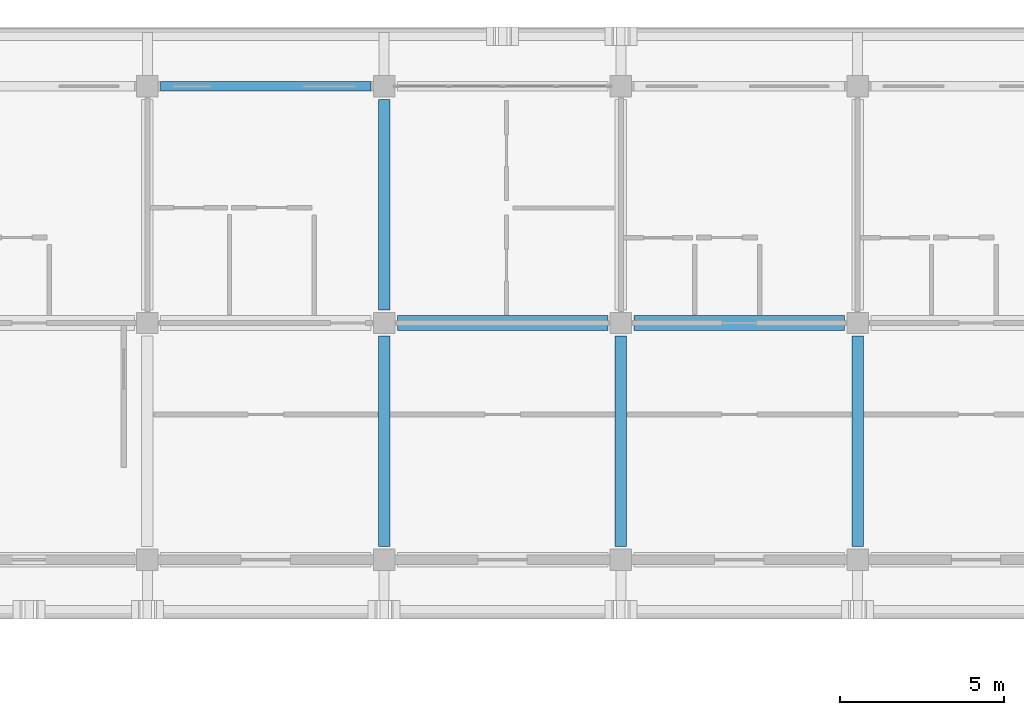
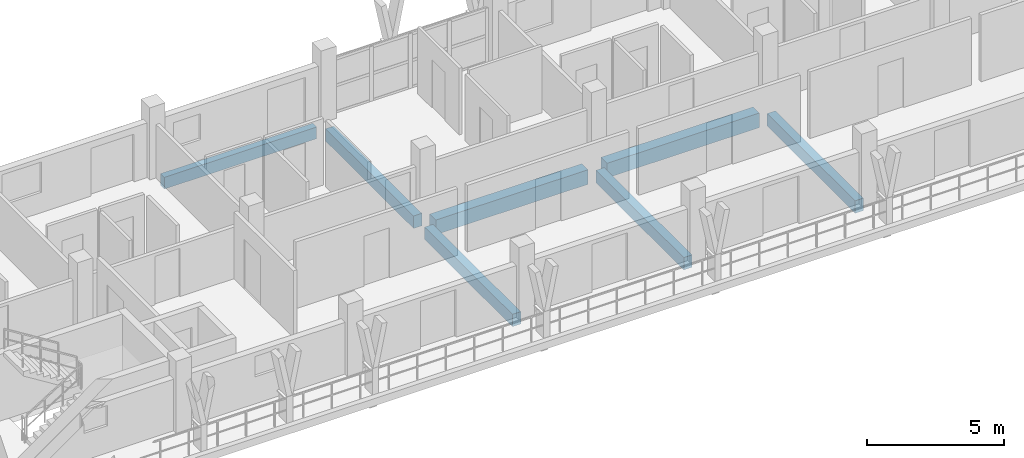
# One storey, part 74 of 157: 7 beams.
"""IFC4 building model written with IfcOpenShell, lengths in metres."""

from ifc_helpers import new_model, si_unit, direction, frame, origin, origin_2d, place, context, subcontext, project, spatial, rectangle, extrude, material, material_profile, profile_set, type_object, element, save


model = new_model("IFC4")

# Units and contexts
model_context = context("Model", 3, precision=1e-05, world=origin(), true_north=direction((0.0, 1.0)))
body_context = subcontext(model_context, "Body", "Model", "MODEL_VIEW")
ifc_project = project(units=[si_unit("LENGTHUNIT", "METRE"), si_unit("AREAUNIT", "SQUARE_METRE"), si_unit("VOLUMEUNIT", "CUBIC_METRE"), si_unit("PLANEANGLEUNIT", "RADIAN"), si_unit("MASSUNIT", "GRAM", prefix="KILO")], contexts=[model_context])

# Site, building, storey
site_placement = place(None, origin())
site = spatial("IfcSite", under=ifc_project, at=site_placement, CompositionType="ELEMENT")
building_placement = place(site_placement, origin())
building = spatial("IfcBuilding", under=site, at=building_placement, Name="Suanplinth Sawtooth Commons", CompositionType="ELEMENT")
storey_placement = place(building_placement, frame((0.0, 0.0, 9.0)))
storey = spatial("IfcBuildingStorey", under=building, at=storey_placement, Name="L02", CompositionType="ELEMENT", Elevation=9.0)

# Beams
ifc_material = material(Name="Precast concrete C40/50", Category="concrete")
ifc_material_profile_1 = material_profile(ifc_material, rectangle(XDim=0.449951171875, YDim=0.64990234375, at=origin_2d()), Name="PC-GDR 450x650")
ifc_profile_set_1 = profile_set([ifc_material_profile_1], Name="Precast concrete C40/50")
beam_type_1 = type_object("IfcBeamType", Name="B-04", PredefinedType="USERDEFINED", material=ifc_profile_set_1)
for number, where, z_axis, x_axis, name in (
    (1, (79.60009765625, 115.199951171875, -0.574951171875), (1.0, 0.0, 0.0), (0.0, 1.0, 0.0), "BMX-L02-A-11-16"),
    (2, (86.800048828125, 115.199951171875, -0.574951171875), (1.0, 0.0, 0.0), (0.0, 1.0, 0.0), "BMX-L02-A-12-16"),
):
    element("IfcBeam", number, at=place(storey_placement, frame(where, z_axis=z_axis, x_axis=x_axis)), inside=storey, type_object=beam_type_1, Name=name, ObjectType="GIRDER", PredefinedType="USERDEFINED", context=body_context, shape_type="SweptSolid", body=[
        extrude(rectangle(XDim=0.449951171875, YDim=0.64990234375, at=origin_2d()), origin(), (0.0, 0.0, 1.0), 6.39990234375),
    ])
ifc_material_profile_2 = material_profile(ifc_material, rectangle(XDim=0.35009765625, YDim=0.550048828125, at=origin_2d()), Name="PC-BM 350x550")
ifc_profile_set_2 = profile_set([ifc_material_profile_2], Name="Precast concrete C40/50")
beam_type_2 = type_object("IfcBeamType", Name="B-06", PredefinedType="BEAM", material=ifc_profile_set_2)
beam_1_placement = place(storey_placement, frame((79.199951171875, 108.39990234375, -0.52490234375), z_axis=(0.0, 1.0, 0.0), x_axis=(-1.0, 0.0, 0.0)))
element("IfcBeam", 3, at=beam_1_placement, inside=storey, type_object=beam_type_2, Name="BMY-L02-A-11-15", PredefinedType="BEAM", context=body_context, shape_type="SweptSolid", body=[
    extrude(rectangle(XDim=0.35009765625, YDim=0.550048828125, at=origin_2d()), origin(), (0.0, 0.0, 1.0), 6.400146484375),
])
beam_2_placement = place(storey_placement, frame((79.199951171875, 115.60009765625, -0.52490234375), z_axis=(0.0, 1.0, 0.0), x_axis=(-1.0, 0.0, 0.0)))
element("IfcBeam", 4, at=beam_2_placement, inside=storey, type_object=beam_type_2, Name="BMY-L02-A-11-16", PredefinedType="BEAM", context=body_context, shape_type="SweptSolid", body=[
    extrude(rectangle(XDim=0.35009765625, YDim=0.550048828125, at=origin_2d()), origin(), (0.0, 0.0, 1.0), 6.39990234375),
])
for number, where, z_axis, x_axis, name in (
    (5, (86.39990234375, 108.39990234375, -0.52490234375), (0.0, 1.0, 0.0), (-1.0, 0.0, 0.0), "BMY-L02-A-12-15"),
    (6, (93.60009765625, 108.39990234375, -0.52490234375), (0.0, 1.0, 0.0), (-1.0, 0.0, 0.0), "BMY-L02-A-13-15"),
):
    element("IfcBeam", number, at=place(storey_placement, frame(where, z_axis=z_axis, x_axis=x_axis)), inside=storey, type_object=beam_type_2, Name=name, PredefinedType="BEAM", context=body_context, shape_type="SweptSolid", body=[
        extrude(rectangle(XDim=0.35009765625, YDim=0.550048828125, at=origin_2d()), origin(), (0.0, 0.0, 1.0), 6.400146484375),
    ])
ifc_material_profile_3 = material_profile(ifc_material, rectangle(XDim=0.280029296875, YDim=0.52001953125, at=origin_2d()), Name="PC-SP 280x520")
ifc_profile_set_3 = profile_set([ifc_material_profile_3], Name="Precast concrete C40/50")
beam_type_3 = type_object("IfcBeamType", Name="B-08", PredefinedType="SPANDREL", material=ifc_profile_set_3)
beam_3_placement = place(storey_placement, frame((72.39990234375, 122.39990234375, -0.510009765625), z_axis=(1.0, 0.0, 0.0), x_axis=(0.0, 1.0, 0.0)))
element("IfcBeam", 7, at=beam_3_placement, inside=storey, type_object=beam_type_3, Name="BMX-L02-A-10-17", PredefinedType="SPANDREL", context=body_context, shape_type="SweptSolid", body=[
    extrude(rectangle(XDim=0.280029296875, YDim=0.52001953125, at=origin_2d()), origin(), (0.0, 0.0, 1.0), 6.400146484375),
])

save(model, "model.ifc")
